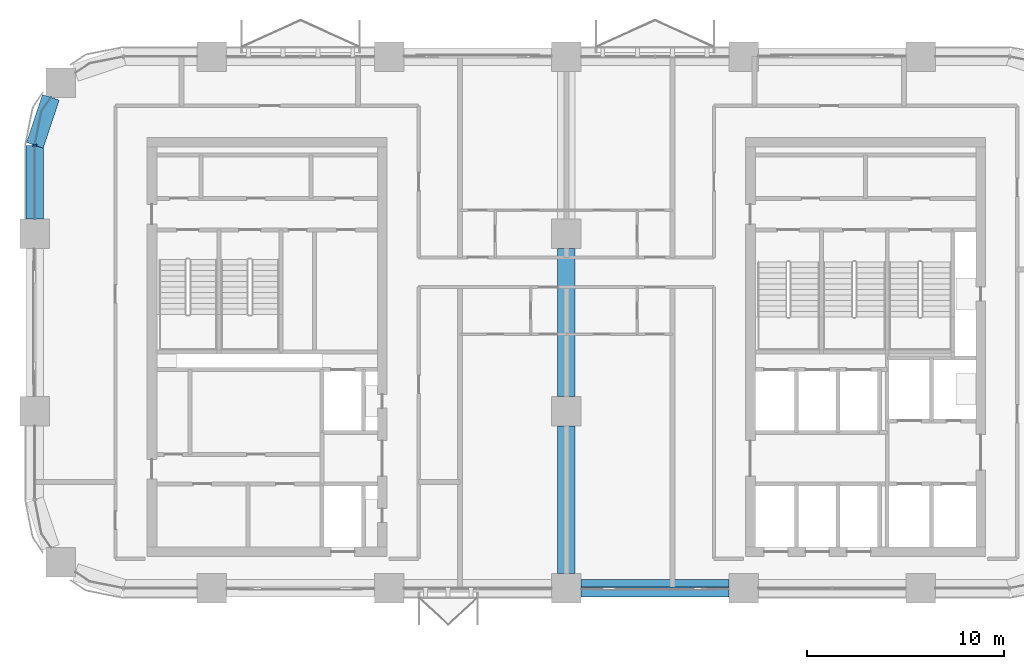
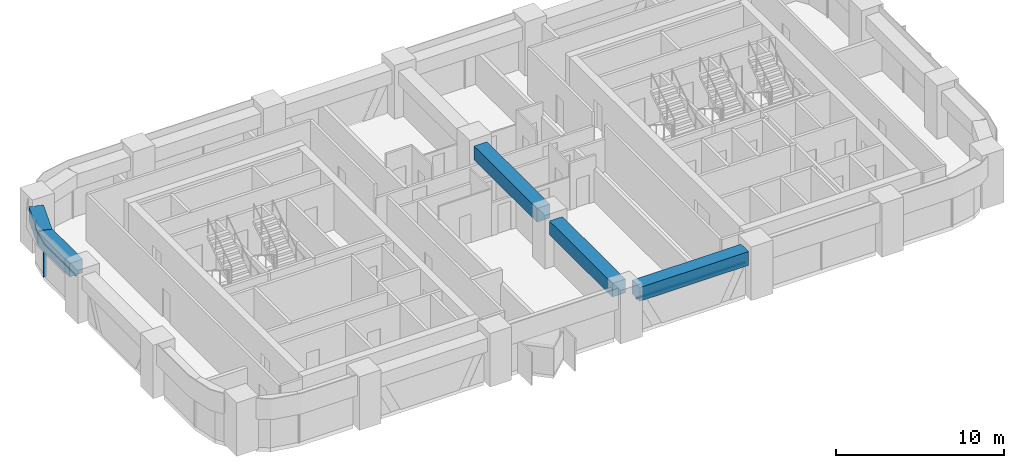
# One storey, part 3 of 14: 5 beams, 3 members, 2 elements without a shape of their own.
"""IFC4 building model written with IfcOpenShell, lengths in metres."""

from ifc_helpers import new_model, si_unit, direction, frame, origin, origin_2d, place, context, subcontext, project, spatial, polyline, rectangle, outline, extrude, material, material_profile, profile_set, type_object, element, aggregate, save


model = new_model("IFC4")

# Units and contexts
model_context = context("Model", 3, precision=1e-05, world=origin(), true_north=direction((0.0, 1.0)))
body_context = subcontext(model_context, "Body", "Model", "MODEL_VIEW")
ifc_project = project(units=[si_unit("LENGTHUNIT", "METRE"), si_unit("AREAUNIT", "SQUARE_METRE"), si_unit("VOLUMEUNIT", "CUBIC_METRE"), si_unit("PLANEANGLEUNIT", "RADIAN"), si_unit("MASSUNIT", "GRAM", prefix="KILO")], contexts=[model_context])

# Site, building, storey
site_placement = place(None, origin())
site = spatial("IfcSite", under=ifc_project, at=site_placement, CompositionType="ELEMENT")
building_placement = place(site_placement, origin())
building = spatial("IfcBuilding", under=site, at=building_placement, Name="Tessera Arch", CompositionType="ELEMENT")
storey_placement = place(building_placement, frame((0.0, 0.0, 193.39990234375)))
storey = spatial("IfcBuildingStorey", under=building, at=storey_placement, Name="L46", CompositionType="ELEMENT", Elevation=193.39990234375)

# Curtain wall, members
ifc_material_1 = material(Name="CW2 curtain wall")
curtain_wall_type_1 = type_object("IfcCurtainWallType", Name="CW2 curtain wall", PredefinedType="NOTDEFINED", material=ifc_material_1)
curtain_wall_1_placement = place(storey_placement, origin())
curtain_wall_1 = element("IfcCurtainWall", 1, at=curtain_wall_1_placement, inside=storey, type_object=curtain_wall_type_1, Name="CW2 curtain wall W0.27/0 L46", PredefinedType="NOTDEFINED")
ifc_material_2 = material(Name="Anodised aluminium pale metal", Category="aluminium")
ifc_material_profile_1 = material_profile(ifc_material_2, rectangle(XDim=0.199951171875, YDim=0.080078125, at=origin_2d()), Name="AL 80x200")
ifc_profile_set_1 = profile_set([ifc_material_profile_1], Name="Anodised aluminium pale metal")
member_type_1 = type_object("IfcMemberType", Name="CW2 mullion", PredefinedType="MULLION", material=ifc_profile_set_1)
member_1_placement = place(storey_placement, frame((0.0, 49.5, 0.0), z_axis=(0.0, 0.0, 1.0), x_axis=(1.0, 0.0, 0.0)))
member_1 = element("IfcMember", 2, at=member_1_placement, type_object=member_type_1, Name="CW2 mullion W0.27/0 1", PredefinedType="MULLION", context=body_context, shape_type="SweptSolid", body=[
    extrude(rectangle(XDim=0.199951171875, YDim=0.080078125, at=origin_2d()), origin(), (0.0, 0.0, 1.0), 2.300048828125),
])
ifc_material_3 = material(Name="Anodised aluminium pale metal", Category="aluminium")
ifc_material_profile_2 = material_profile(ifc_material_3, rectangle(XDim=0.199951171875, YDim=0.10009765625, at=origin_2d()), Name="AL 200x100")
ifc_profile_set_2 = profile_set([ifc_material_profile_2], Name="Anodised aluminium pale metal")
member_type_2 = type_object("IfcMemberType", Name="CW2 transom", PredefinedType="USERDEFINED", material=ifc_profile_set_2)
member_2_placement = place(storey_placement, frame((0.0, 0.0, 2.300048828125)))
member_2 = element("IfcMember", 3, at=member_2_placement, type_object=member_type_2, Name="CW2 transom W0.27/0 1", ObjectType="TRANSOM", PredefinedType="USERDEFINED", context=body_context, shape_type="SweptSolid", body=[
    extrude(outline(polyline([(0.351806640625, 51.21826171875), (0.8251953125, 51.926513671875), (0.80859375, 51.9375), (0.3330078125, 51.22607421875), (-0.010009765625, 49.5009765625), (-0.010009765625, 45.75), (0.010009765625, 45.75), (0.010009765625, 49.4990234375), (0.351806640625, 51.21826171875)])), origin(), (0.0, 0.0, 1.0), 0.10009765625),
])
aggregate(curtain_wall_1, [member_1, member_2])

# Curtain wall, member
ifc_material_4 = material(Name="CW3 curtain wall")
curtain_wall_type_2 = type_object("IfcCurtainWallType", Name="CW3 curtain wall", PredefinedType="NOTDEFINED", material=ifc_material_4)
curtain_wall_2_placement = place(storey_placement, origin())
curtain_wall_2 = element("IfcCurtainWall", 4, at=curtain_wall_2_placement, inside=storey, type_object=curtain_wall_type_2, Name="CW3 curtain wall S27.0/3 L46", PredefinedType="NOTDEFINED")
ifc_material_5 = material(Name="Anodised aluminium pale metal", Category="aluminium")
ifc_material_profile_3 = material_profile(ifc_material_5, rectangle(XDim=0.139892578125, YDim=0.10009765625, at=origin_2d()), Name="AL 140x100")
ifc_profile_set_3 = profile_set([ifc_material_profile_3], Name="Anodised aluminium pale metal")
member_type_3 = type_object("IfcMemberType", Name="CW3 transom", PredefinedType="USERDEFINED", material=ifc_profile_set_3)
member_3_placement = place(storey_placement, frame((27.75, 27.0, 2.35009765625), z_axis=(1.0, 0.0, 0.0), x_axis=(0.0, 1.0, 0.0)))
member_3 = element("IfcMember", 5, at=member_3_placement, type_object=member_type_3, Name="CW3 transom S27.0/3 1.1", ObjectType="TRANSOM", PredefinedType="USERDEFINED", context=body_context, shape_type="SweptSolid", body=[
    extrude(rectangle(XDim=0.139892578125, YDim=0.10009765625, at=origin_2d()), origin(), (0.0, 0.0, 1.0), 7.5),
])
aggregate(curtain_wall_2, [member_3])

# Beams
ifc_material_6 = material(Name="Concrete C70/85", Category="concrete")
ifc_material_profile_4 = material_profile(ifc_material_6, rectangle(XDim=0.89990234375, YDim=1.0, at=origin_2d()), Name="RC spandrel beam 900 x 1000 Concrete C70/85")
ifc_profile_set_4 = profile_set([ifc_material_profile_4], Name="Concrete C70/85")
beam_type = type_object("IfcBeamType", Name="RC spandrel beam 900 x 1000 Concrete C70/85", PredefinedType="BEAM", material=ifc_profile_set_4)
beam_1_placement = place(storey_placement, frame((0.81689453125, 51.931884765625, 2.900146484375), z_axis=(-0.31842525032, -0.947947973234, 0.0), x_axis=(0.947947973234, -0.31842525032, 0.0)))
element("IfcBeam", 6, at=beam_1_placement, inside=storey, type_object=beam_type, Name="Spandrel beam L46 W0.27/0.1", PredefinedType="BEAM", context=body_context, shape_type="SweptSolid", body=[
    extrude(rectangle(XDim=0.89990234375, YDim=1.0, at=origin_2d()), origin(), (0.0, 0.0, 1.0), 2.5654296875),
])
beam_2_placement = place(storey_placement, frame((0.0, 49.5, 2.900146484375), z_axis=(0.0, -1.0, 0.0), x_axis=(1.0, 0.0, 0.0)))
element("IfcBeam", 7, at=beam_2_placement, inside=storey, type_object=beam_type, Name="Spandrel beam L46 W0.27/0.2", PredefinedType="BEAM", context=body_context, shape_type="SweptSolid", body=[
    extrude(rectangle(XDim=0.89990234375, YDim=1.0, at=origin_2d()), origin(), (0.0, 0.0, 1.0), 3.75),
])
for number, where, z_axis, x_axis, name in (
    (8, (27.75, 27.0, 2.900146484375), (1.0, 0.0, 0.0), (0.0, 1.0, 0.0), "Spandrel beam L46 S27.0/3"),
    (9, (27.0, 27.75, 2.900146484375), (0.0, 1.0, 0.0), (-1.0, 0.0, 0.0), "Interface beam L46 I0C4D-C4E"),
    (10, (27.0, 36.75, 2.900146484375), (0.0, 1.0, 0.0), (-1.0, 0.0, 0.0), "Interface beam L46 I0C4E-C4F"),
):
    element("IfcBeam", number, at=place(storey_placement, frame(where, z_axis=z_axis, x_axis=x_axis)), inside=storey, type_object=beam_type, Name=name, PredefinedType="BEAM", context=body_context, shape_type="SweptSolid", body=[
        extrude(rectangle(XDim=0.89990234375, YDim=1.0, at=origin_2d()), origin(), (0.0, 0.0, 1.0), 7.5),
    ])

save(model, "model.ifc")
